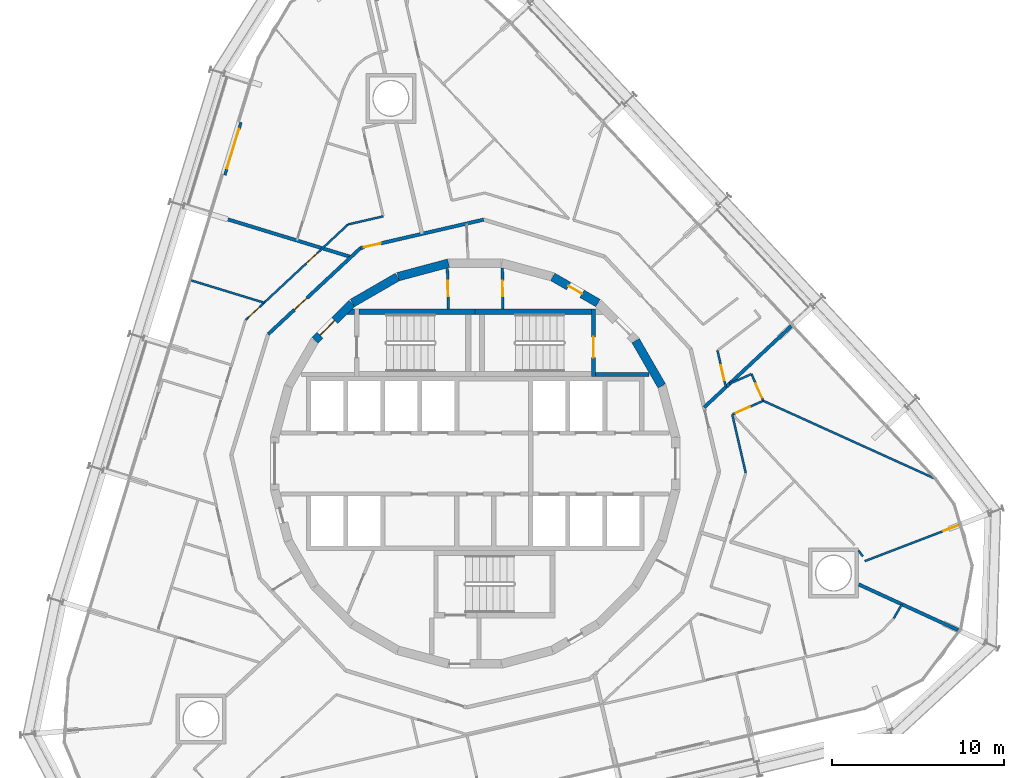
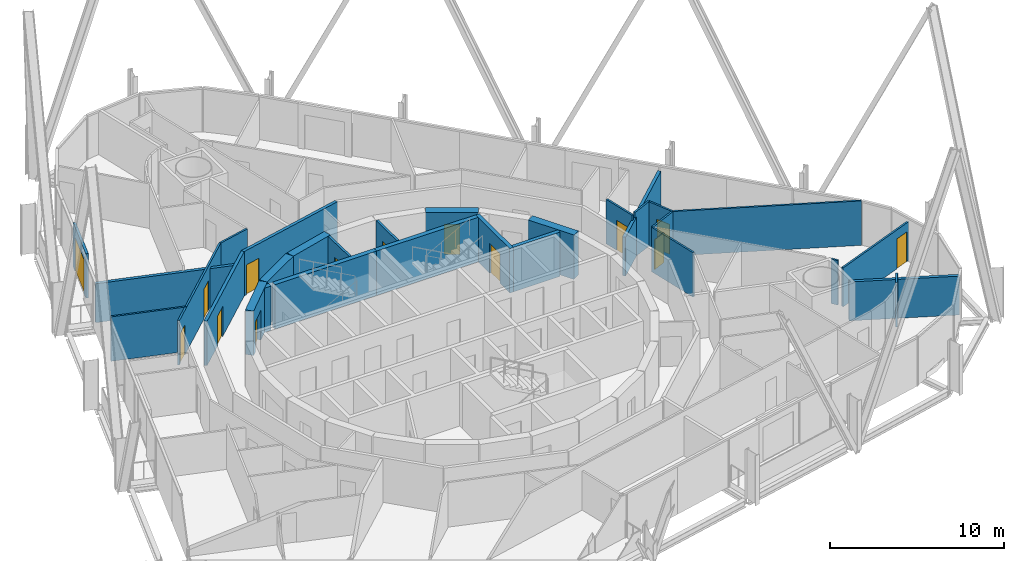
# One storey, part 15 of 18: 30 walls, 14 doors, 14 openings.
"""IFC4 building model written with IfcOpenShell, lengths in metres."""

from ifc_helpers import new_model, si_unit, direction, frame, frame_2d, origin, place, context, subcontext, project, spatial, polyline, rectangle, outline, extrude, material, layer, layer_set, type_object, element, fill, save


model = new_model("IFC4")

# Units and contexts
model_context = context("Model", 3, precision=1e-05, world=origin(), true_north=direction((0.0, 1.0)))
body_context = subcontext(model_context, "Body", "Model", "MODEL_VIEW")
ifc_project = project(units=[si_unit("LENGTHUNIT", "METRE"), si_unit("AREAUNIT", "SQUARE_METRE"), si_unit("VOLUMEUNIT", "CUBIC_METRE"), si_unit("PLANEANGLEUNIT", "RADIAN"), si_unit("MASSUNIT", "GRAM", prefix="KILO")], contexts=[model_context])

# Site, building, storey
site_placement = place(None, origin())
site = spatial("IfcSite", under=ifc_project, at=site_placement, CompositionType="ELEMENT")
building_placement = place(site_placement, origin())
building = spatial("IfcBuilding", under=site, at=building_placement, Name="Spindle Arch Residences", CompositionType="ELEMENT")
storey_placement = place(building_placement, frame((0.0, 0.0, 127.39990234375)))
storey = spatial("IfcBuildingStorey", under=building, at=storey_placement, Name="L31", CompositionType="ELEMENT", Elevation=127.39990234375)

# Wall
ifc_material_1 = material(Name="Concrete C50/60", Category="concrete")
ifc_layer_1 = layer(ifc_material_1, 0.5)
ifc_layer_set_1 = layer_set([ifc_layer_1], Name="Core outline wall 500")
wall_type_1 = type_object("IfcWallType", Name="Core outline wall 500", PredefinedType="SHEAR", material=ifc_layer_set_1)
wall_1_placement = place(storey_placement, frame((10.84521484375, 4.510498046875, 0.0), z_axis=(0.0, 0.0, 1.0), x_axis=(-0.500087131594, 0.865975092491, 0.0)))
element("IfcWall", 1, at=wall_1_placement, inside=storey, type_object=wall_type_1, Name="Core outline wall 8", PredefinedType="SHEAR", context=body_context, shape_type="SweptSolid", body=[
    extrude(rectangle(XDim=3.03271484375, YDim=0.5, at=frame_2d((1.516357421875, 0.0))), origin(), (0.0, 0.0, 1.0), 3.1201171875),
])

# Wall, opening, door
wall_2_placement = place(storey_placement, frame((7.13671875, 9.32861328125, 0.0), z_axis=(0.0, 0.0, 1.0), x_axis=(-0.865975092491, 0.500087131594, 0.0)))
wall_2 = element("IfcWall", 2, at=wall_2_placement, inside=storey, type_object=wall_type_1, Name="Core outline wall 10", PredefinedType="SHEAR", context=body_context, shape_type="SweptSolid", body=[
    extrude(rectangle(XDim=3.03271484375, YDim=0.5, at=frame_2d((1.516357421875, 0.0))), origin(), (0.0, 0.0, 1.0), 3.1201171875),
])
opening_1_placement = place(wall_2_placement, frame((1.06640625, 0.0, 0.0)))
opening_1 = element("IfcOpeningElement", 3, at=opening_1_placement, cuts=wall_2, Name="Opening R3B0-WD11", PredefinedType="OPENING", context=body_context, shape_type="SweptSolid", body=[
    extrude(rectangle(XDim=0.89990234375, YDim=2.10009765625, at=frame_2d((0.449951171875, 1.050048828125))), frame((0.0, 0.260009765625, 0.0), z_axis=(0.0, -1.0, 0.0), x_axis=(1.0, 0.0, 0.0)), (0.0, 0.0, 1.0), 0.52001953125),
])
ifc_material_2 = material(Name="Steel, fire-resisting door", Category="steel")
door_type_1 = type_object("IfcDoorType", Name="Service room door 900x2100", OperationType="SINGLE_SWING_LEFT", PredefinedType="DOOR", material=ifc_material_2)
door_1_placement = place(opening_1_placement, origin())
door_1 = element("IfcDoor", 4, at=door_1_placement, inside=storey, type_object=door_type_1, Name="Service room door R3B0-WD11", OperationType="SINGLE_SWING_RIGHT", OverallHeight=2.10009765625, OverallWidth=0.89990234375, PredefinedType="DOOR", context=body_context, shape_type="SweptSolid", body=[
    extrude(rectangle(XDim=0.89990234375, YDim=2.10009765625, at=frame_2d((0.449951171875, 1.050048828125))), frame((0.0, 0.02490234375, 0.0), z_axis=(0.0, -1.0, 0.0), x_axis=(1.0, 0.0, 0.0)), (0.0, 0.0, 1.0), 0.050048828125),
])
fill(opening_1, door_1)

# Walls
for number, where, z_axis, x_axis, name in (
    (5, (-1.5498046875, 11.642822265625, 0.0), (0.0, 0.0, 1.0), (-0.965948410781, -0.258734743916, 0.0), "Core outline wall 13"),
    (6, (-4.510498046875, 10.84521484375, 0.0), (0.0, 0.0, 1.0), (-0.865975092491, -0.500087131594, 0.0), "Core outline wall 14"),
):
    element("IfcWall", number, at=place(storey_placement, frame(where, z_axis=z_axis, x_axis=x_axis)), inside=storey, type_object=wall_type_1, Name=name, PredefinedType="SHEAR", context=body_context, shape_type="SweptSolid", body=[
        extrude(rectangle(XDim=3.03271484375, YDim=0.5, at=frame_2d((1.516357421875, 0.0))), origin(), (0.0, 0.0, 1.0), 3.1201171875),
    ])

# Wall, opening, door
wall_3_placement = place(storey_placement, frame((-7.163818359375, 9.30810546875, 0.0), z_axis=(0.0, 0.0, 1.0), x_axis=(-0.707106781187, -0.707106781187, 0.0)))
wall_3 = element("IfcWall", 7, at=wall_3_placement, inside=storey, type_object=wall_type_1, Name="Core outline wall 15", PredefinedType="SHEAR", context=body_context, shape_type="SweptSolid", body=[
    extrude(rectangle(XDim=3.032470703125, YDim=0.5, at=frame_2d((1.51611328125, 0.0))), origin(), (0.0, 0.0, 1.0), 3.1201171875),
])
opening_2_placement = place(wall_3_placement, frame((1.416259765625, 0.0, 0.0)))
opening_2 = element("IfcOpeningElement", 8, at=opening_2_placement, cuts=wall_3, Name="Opening R3B0-AD02", PredefinedType="OPENING", context=body_context, shape_type="SweptSolid", body=[
    extrude(rectangle(XDim=1.199951171875, YDim=2.10009765625, at=frame_2d((0.60009765625, 1.050048828125))), frame((0.0, 0.260009765625, 0.0), z_axis=(0.0, -1.0, 0.0), x_axis=(1.0, 0.0, 0.0)), (0.0, 0.0, 1.0), 0.52001953125),
])
ifc_material_3 = material(Name="Steel, fire-resisting door", Category="steel")
door_type_2 = type_object("IfcDoorType", Name="Stair airlock door 1200x2100", OperationType="SINGLE_SWING_LEFT", PredefinedType="DOOR", material=ifc_material_3)
door_2_placement = place(opening_2_placement, origin())
door_2 = element("IfcDoor", 9, at=door_2_placement, inside=storey, type_object=door_type_2, Name="Stair airlock door R3B0-AD02", OperationType="SINGLE_SWING_RIGHT", OverallHeight=2.10009765625, OverallWidth=1.199951171875, PredefinedType="DOOR", context=body_context, shape_type="SweptSolid", body=[
    extrude(rectangle(XDim=1.199951171875, YDim=2.10009765625, at=frame_2d((0.60009765625, 1.050048828125))), frame((0.0, 0.02490234375, 0.0), z_axis=(0.0, -1.0, 0.0), x_axis=(1.0, 0.0, 0.0)), (0.0, 0.0, 1.0), 0.050048828125),
])
fill(opening_2, door_2)

ifc_material_4 = material(Name="Calcium silicate block, plastered")
ifc_layer_2 = layer(ifc_material_4, 0.199951171875)
ifc_layer_set_2 = layer_set([ifc_layer_2], Name="Corridor wall 200")
wall_type_2 = type_object("IfcWallType", Name="Corridor wall 200", PredefinedType="STANDARD", material=ifc_layer_set_2)
wall_4_placement = place(storey_placement, frame((0.4951171875, 14.174560546875, 0.0), z_axis=(0.0, 0.0, 1.0), x_axis=(-0.974376622151, -0.224922649383, 0.0)))
wall_4 = element("IfcWall", 10, at=wall_4_placement, inside=storey, type_object=wall_type_2, Name="Corridor wall R3B0-W007", PredefinedType="STANDARD", context=body_context, shape_type="SweptSolid", body=[
    extrude(rectangle(XDim=7.342041015625, YDim=0.199951171875, at=frame_2d((3.6708984375, 0.0))), origin(), (0.0, 0.0, 1.0), 3.1201171875),
])
opening_3_placement = place(wall_4_placement, frame((6.141845703125, 0.0, 0.0)))
opening_3 = element("IfcOpeningElement", 11, at=opening_3_placement, cuts=wall_4, Name="Opening R3B0-FD02", PredefinedType="OPENING", context=body_context, shape_type="SweptSolid", body=[
    extrude(rectangle(XDim=1.0, YDim=2.10009765625, at=frame_2d((0.5, 1.050048828125))), frame((0.0, 0.10986328125, 0.0), z_axis=(0.0, -1.0, 0.0), x_axis=(1.0, 0.0, 0.0)), (0.0, 0.0, 1.0), 0.219970703125),
])
ifc_material_5 = material(Name="Timber, fire-resisting door set", Category="wood")
door_type_3 = type_object("IfcDoorType", Name="Flat entrance door 1000x2100", OperationType="NOTDEFINED", PredefinedType="DOOR", material=ifc_material_5)
door_3_placement = place(opening_3_placement, origin())
door_3 = element("IfcDoor", 12, at=door_3_placement, inside=storey, type_object=door_type_3, Name="Flat entrance door R3B0-FD02", OperationType="SINGLE_SWING_LEFT", OverallHeight=2.10009765625, OverallWidth=1.0, PredefinedType="DOOR", context=body_context, shape_type="SweptSolid", body=[
    extrude(rectangle(XDim=1.0, YDim=2.10009765625, at=frame_2d((0.5, 1.050048828125))), frame((0.0, 0.02490234375, 0.0), z_axis=(0.0, -1.0, 0.0), x_axis=(1.0, 0.0, 0.0)), (0.0, 0.0, 1.0), 0.050048828125),
])
fill(opening_3, door_3)

wall_5_placement = place(storey_placement, frame((-6.65869140625, 12.523193359375, 0.0), z_axis=(0.0, 0.0, 1.0), x_axis=(-0.731350455479, -0.682001841105, 0.0)))
wall_5 = element("IfcWall", 13, at=wall_5_placement, inside=storey, type_object=wall_type_2, Name="Corridor wall R3B0-W009", PredefinedType="STANDARD", context=body_context, shape_type="SweptSolid", body=[
    extrude(rectangle(XDim=7.341796875, YDim=0.199951171875, at=frame_2d((3.6708984375, 0.0))), origin(), (0.0, 0.0, 1.0), 3.1201171875),
])
opening_4_placement = place(wall_5_placement, frame((4.26416015625, 0.0, 0.0)))
opening_4 = element("IfcOpeningElement", 14, at=opening_4_placement, cuts=wall_5, Name="Opening R3B0-FD03", PredefinedType="OPENING", context=body_context, shape_type="SweptSolid", body=[
    extrude(rectangle(XDim=1.0, YDim=2.10009765625, at=frame_2d((0.5, 1.050048828125))), frame((0.0, 0.10986328125, 0.0), z_axis=(0.0, -1.0, 0.0), x_axis=(1.0, 0.0, 0.0)), (0.0, 0.0, 1.0), 0.219970703125),
])
door_4_placement = place(opening_4_placement, origin())
door_4 = element("IfcDoor", 15, at=door_4_placement, inside=storey, type_object=door_type_3, Name="Flat entrance door R3B0-FD03", OperationType="SINGLE_SWING_LEFT", OverallHeight=2.10009765625, OverallWidth=1.0, PredefinedType="DOOR", context=body_context, shape_type="SweptSolid", body=[
    extrude(rectangle(XDim=1.0, YDim=2.10009765625, at=frame_2d((0.5, 1.050048828125))), frame((0.0, 0.02490234375, 0.0), z_axis=(0.0, -1.0, 0.0), x_axis=(1.0, 0.0, 0.0)), (0.0, 0.0, 1.0), 0.050048828125),
])
fill(opening_4, door_4)

ifc_material_6 = material(Name="Plasterboard on steel studs", Category="steel")
ifc_layer_3 = layer(ifc_material_6, 0.1201171875)
ifc_layer_set_3 = layer_set([ifc_layer_3], Name="Flat partition 120")
wall_type_3 = type_object("IfcWallType", Name="Flat partition 120", PredefinedType="PARTITIONING", material=ifc_layer_set_3)
wall_6_placement = place(storey_placement, frame((14.5732421875, 4.447021484375, 0.0), z_axis=(0.0, 0.0, 1.0), x_axis=(-0.225006886074, 0.97435717333, 0.0)))
wall_6 = element("IfcWall", 16, at=wall_6_placement, inside=storey, type_object=wall_type_3, Name="Flat partition R3B0-W027", PredefinedType="PARTITIONING", context=body_context, shape_type="SweptSolid", body=[
    extrude(rectangle(XDim=2.177734375, YDim=0.1201171875, at=frame_2d((1.0888671875, 0.0))), origin(), (0.0, 0.0, 1.0), 3.1201171875),
])
opening_5_placement = place(wall_6_placement, frame((0.39990234375, 0.0, 0.0)))
opening_5 = element("IfcOpeningElement", 17, at=opening_5_placement, cuts=wall_6, Name="Opening R3B0-ID01", PredefinedType="OPENING", context=body_context, shape_type="SweptSolid", body=[
    extrude(rectangle(XDim=0.89990234375, YDim=2.10009765625, at=frame_2d((0.449951171875, 1.050048828125))), frame((0.0, 0.070068359375, 0.0), z_axis=(0.0, -1.0, 0.0), x_axis=(1.0, 0.0, 0.0)), (0.0, 0.0, 1.0), 0.14013671875),
])
ifc_material_7 = material(Name="Timber door set", Category="wood")
door_type_4 = type_object("IfcDoorType", Name="Room door 900x2100", OperationType="NOTDEFINED", PredefinedType="DOOR", material=ifc_material_7)
door_5_placement = place(opening_5_placement, origin())
door_5 = element("IfcDoor", 18, at=door_5_placement, inside=storey, type_object=door_type_4, Name="Room door R3B0-ID01", OperationType="SINGLE_SWING_LEFT", OverallHeight=2.10009765625, OverallWidth=0.89990234375, PredefinedType="DOOR", context=body_context, shape_type="SweptSolid", body=[
    extrude(rectangle(XDim=0.89990234375, YDim=2.10009765625, at=frame_2d((0.449951171875, 1.050048828125))), frame((0.0, 0.02490234375, 0.0), z_axis=(0.0, -1.0, 0.0), x_axis=(1.0, 0.0, 0.0)), (0.0, 0.0, 1.0), 0.050048828125),
])
fill(opening_5, door_5)

# Wall
wall_7_placement = place(storey_placement, frame((-5.341552734375, 14.36669921875, 0.0), z_axis=(0.0, 0.0, 1.0), x_axis=(-0.974367677287, -0.224961395484, 0.0)))
element("IfcWall", 19, at=wall_7_placement, inside=storey, type_object=wall_type_3, Name="Flat partition R3B0-W049", PredefinedType="PARTITIONING", context=body_context, shape_type="SweptSolid", body=[
    extrude(rectangle(XDim=2.099853515625, YDim=0.1201171875, at=frame_2d((1.0498046875, 0.0))), origin(), (0.0, 0.0, 1.0), 3.1201171875),
])

# Wall, openings, doors
wall_8_placement = place(storey_placement, frame((-7.3876953125, 13.894287109375, 0.0), z_axis=(0.0, 0.0, 1.0), x_axis=(-0.731357186721, -0.681994622729, 0.0)))
wall_8 = element("IfcWall", 20, at=wall_8_placement, inside=storey, type_object=wall_type_3, Name="Flat partition R3B0-W050", PredefinedType="PARTITIONING", context=body_context, shape_type="SweptSolid", body=[
    extrude(rectangle(XDim=8.145751953125, YDim=0.1201171875, at=frame_2d((4.07275390625, 0.0))), origin(), (0.0, 0.0, 1.0), 3.1201171875),
])
opening_6_placement = place(wall_8_placement, frame((2.431884765625, 0.0, 0.0)))
opening_6 = element("IfcOpeningElement", 21, at=opening_6_placement, cuts=wall_8, Name="Opening R3B0-ID11", PredefinedType="OPENING", context=body_context, shape_type="SweptSolid", body=[
    extrude(rectangle(XDim=0.89990234375, YDim=2.10009765625, at=frame_2d((0.449951171875, 1.050048828125))), frame((0.0, 0.070068359375, 0.0), z_axis=(0.0, -1.0, 0.0), x_axis=(1.0, 0.0, 0.0)), (0.0, 0.0, 1.0), 0.14013671875),
])
opening_7_placement = place(wall_8_placement, frame((7.045654296875, 0.0, 0.0)))
opening_7 = element("IfcOpeningElement", 22, at=opening_7_placement, cuts=wall_8, Name="Opening R3B0-ID12", PredefinedType="OPENING", context=body_context, shape_type="SweptSolid", body=[
    extrude(rectangle(XDim=0.89990234375, YDim=2.10009765625, at=frame_2d((0.449951171875, 1.050048828125))), frame((0.0, 0.070068359375, 0.0), z_axis=(0.0, -1.0, 0.0), x_axis=(1.0, 0.0, 0.0)), (0.0, 0.0, 1.0), 0.14013671875),
])
door_6_placement = place(opening_6_placement, origin())
door_6 = element("IfcDoor", 23, at=door_6_placement, inside=storey, type_object=door_type_4, Name="Room door R3B0-ID11", OperationType="SINGLE_SWING_LEFT", OverallHeight=2.10009765625, OverallWidth=0.89990234375, PredefinedType="DOOR", context=body_context, shape_type="SweptSolid", body=[
    extrude(rectangle(XDim=0.89990234375, YDim=2.10009765625, at=frame_2d((0.449951171875, 1.050048828125))), frame((0.0, 0.02490234375, 0.0), z_axis=(0.0, -1.0, 0.0), x_axis=(1.0, 0.0, 0.0)), (0.0, 0.0, 1.0), 0.050048828125),
])
fill(opening_6, door_6)
door_7_placement = place(opening_7_placement, origin())
door_7 = element("IfcDoor", 24, at=door_7_placement, inside=storey, type_object=door_type_4, Name="Room door R3B0-ID12", OperationType="SINGLE_SWING_LEFT", OverallHeight=2.10009765625, OverallWidth=0.89990234375, PredefinedType="DOOR", context=body_context, shape_type="SweptSolid", body=[
    extrude(rectangle(XDim=0.89990234375, YDim=2.10009765625, at=frame_2d((0.449951171875, 1.050048828125))), frame((0.0, 0.02490234375, 0.0), z_axis=(0.0, -1.0, 0.0), x_axis=(1.0, 0.0, 0.0)), (0.0, 0.0, 1.0), 0.050048828125),
])
fill(opening_7, door_7)

# Walls
wall_9_placement = place(storey_placement, frame((-16.50048828125, 10.64208984375, 0.0), z_axis=(0.0, 0.0, 1.0), x_axis=(0.9563053536, -0.292369749934, 0.0)))
element("IfcWall", 25, at=wall_9_placement, inside=storey, type_object=wall_type_3, Name="Flat partition R3B0-W062", PredefinedType="PARTITIONING", context=body_context, shape_type="SweptSolid", body=[
    extrude(rectangle(XDim=4.429931640625, YDim=0.1201171875, at=frame_2d((2.21484375, 0.0))), origin(), (0.0, 0.0, 1.0), 3.1201171875),
])
wall_10_placement = place(storey_placement, frame((24.8017578125, -8.18603515625, 0.0), z_axis=(0.0, 0.0, 1.0), x_axis=(-0.505043103481, -0.863094122113, 0.0)))
element("IfcWall", 26, at=wall_10_placement, inside=storey, type_object=wall_type_3, Name="Flat partition R3B0-W094", PredefinedType="PARTITIONING", context=body_context, shape_type="SweptSolid", body=[
    extrude(rectangle(XDim=0.945068359375, YDim=0.1201171875, at=frame_2d((0.47265625, 0.0))), origin(), (0.0, 0.0, 1.0), 3.1201171875),
])

# Wall, opening, door
wall_11_placement = place(storey_placement, frame((16.74658203125, 3.64501953125, 0.0), z_axis=(0.0, 0.0, 1.0), x_axis=(-0.40401852801, 0.914750801598, 0.0)))
wall_11 = element("IfcWall", 27, at=wall_11_placement, inside=storey, type_object=wall_type_3, Name="Flat partition R3B0-W099", PredefinedType="PARTITIONING", context=body_context, shape_type="SweptSolid", body=[
    extrude(rectangle(XDim=1.699951171875, YDim=0.1201171875, at=frame_2d((0.85009765625, 0.0))), origin(), (0.0, 0.0, 1.0), 3.1201171875),
])
opening_8_placement = place(wall_11_placement, frame((0.199951171875, 0.0, 0.0)))
opening_8 = element("IfcOpeningElement", 28, at=opening_8_placement, cuts=wall_11, Name="Opening R3B0-ID29", PredefinedType="OPENING", context=body_context, shape_type="SweptSolid", body=[
    extrude(rectangle(XDim=0.89990234375, YDim=2.10009765625, at=frame_2d((0.449951171875, 1.050048828125))), frame((0.0, 0.070068359375, 0.0), z_axis=(0.0, -1.0, 0.0), x_axis=(1.0, 0.0, 0.0)), (0.0, 0.0, 1.0), 0.14013671875),
])
door_8_placement = place(opening_8_placement, origin())
door_8 = element("IfcDoor", 29, at=door_8_placement, inside=storey, type_object=door_type_4, Name="Room door R3B0-ID29", OperationType="SINGLE_SWING_LEFT", OverallHeight=2.10009765625, OverallWidth=0.89990234375, PredefinedType="DOOR", context=body_context, shape_type="SweptSolid", body=[
    extrude(rectangle(XDim=0.89990234375, YDim=2.10009765625, at=frame_2d((0.449951171875, 1.050048828125))), frame((0.0, 0.02490234375, 0.0), z_axis=(0.0, -1.0, 0.0), x_axis=(1.0, 0.0, 0.0)), (0.0, 0.0, 1.0), 0.050048828125),
])
fill(opening_8, door_8)

# Walls
wall_12_placement = place(storey_placement, frame((16.059814453125, 5.199951171875, 0.0), z_axis=(0.0, 0.0, 1.0), x_axis=(-0.91479626238, -0.403915583179, 0.0)))
element("IfcWall", 30, at=wall_12_placement, inside=storey, type_object=wall_type_3, Name="Flat partition R3B0-W100", PredefinedType="PARTITIONING", context=body_context, shape_type="SweptSolid", body=[
    extrude(rectangle(XDim=1.396728515625, YDim=0.1201171875, at=frame_2d((0.6982421875, 0.0))), origin(), (0.0, 0.0, 1.0), 3.1201171875),
])
wall_13_placement = place(storey_placement, frame((15.7265625, -0.54931640625, 0.0), z_axis=(0.0, 0.0, 1.0), x_axis=(-0.224900416367, 0.974381754097, 0.0)))
element("IfcWall", 31, at=wall_13_placement, inside=storey, type_object=wall_type_3, Name="Flat partition R3B0-W101", PredefinedType="PARTITIONING", context=body_context, shape_type="SweptSolid", body=[
    extrude(rectangle(XDim=3.48681640625, YDim=0.1201171875, at=frame_2d((1.743408203125, 0.0))), origin(), (0.0, 0.0, 1.0), 3.1201171875),
])

# Wall, opening, door
wall_14_placement = place(storey_placement, frame((14.9619140625, 2.856689453125, 0.0), z_axis=(0.0, 0.0, 1.0), x_axis=(0.914732858216, 0.404059151734, 0.0)))
wall_14 = element("IfcWall", 32, at=wall_14_placement, inside=storey, type_object=wall_type_3, Name="Flat partition R3B0-W102", PredefinedType="PARTITIONING", context=body_context, shape_type="SweptSolid", body=[
    extrude(rectangle(XDim=1.950927734375, YDim=0.1201171875, at=frame_2d((0.9755859375, 0.0))), origin(), (0.0, 0.0, 1.0), 3.1201171875),
])
opening_9_placement = place(wall_14_placement, frame((0.199951171875, 0.0, 0.0)))
opening_9 = element("IfcOpeningElement", 33, at=opening_9_placement, cuts=wall_14, Name="Opening R3B0-ID30", PredefinedType="OPENING", context=body_context, shape_type="SweptSolid", body=[
    extrude(rectangle(XDim=0.89990234375, YDim=2.10009765625, at=frame_2d((0.449951171875, 1.050048828125))), frame((0.0, 0.070068359375, 0.0), z_axis=(0.0, -1.0, 0.0), x_axis=(1.0, 0.0, 0.0)), (0.0, 0.0, 1.0), 0.14013671875),
])
door_9_placement = place(opening_9_placement, origin())
door_9 = element("IfcDoor", 34, at=door_9_placement, inside=storey, type_object=door_type_4, Name="Room door R3B0-ID30", OperationType="SINGLE_SWING_RIGHT", OverallHeight=2.10009765625, OverallWidth=0.89990234375, PredefinedType="DOOR", context=body_context, shape_type="SweptSolid", body=[
    extrude(rectangle(XDim=0.89990234375, YDim=2.10009765625, at=frame_2d((0.449951171875, 1.050048828125))), frame((0.0, 0.02490234375, 0.0), z_axis=(0.0, -1.0, 0.0), x_axis=(1.0, 0.0, 0.0)), (0.0, 0.0, 1.0), 0.050048828125),
])
fill(opening_9, door_9)

# Walls
wall_15_placement = place(storey_placement, frame((16.74658203125, 3.64501953125, 0.0), z_axis=(0.0, 0.0, 1.0), x_axis=(0.910796273175, -0.412856087238, 0.0)))
element("IfcWall", 35, at=wall_15_placement, inside=storey, type_object=wall_type_3, Name="Flat partition R3B0-W103", PredefinedType="PARTITIONING", context=body_context, shape_type="SweptSolid", body=[
    extrude(rectangle(XDim=10.90087890625, YDim=0.1201171875, at=frame_2d((5.450439453125, 0.0))), origin(), (0.0, 0.0, 1.0), 3.1201171875),
])
wall_16_placement = place(storey_placement, frame((22.532470703125, -5.398681640625, 0.0), z_axis=(0.0, 0.0, 1.0), x_axis=(-0.592456078431, 0.805602752683, 0.0)))
element("IfcWall", 36, at=wall_16_placement, inside=storey, type_object=wall_type_3, Name="Flat partition R3B0-W105", PredefinedType="PARTITIONING", context=body_context, shape_type="SweptSolid", body=[
    extrude(rectangle(XDim=0.426025390625, YDim=0.1201171875, at=frame_2d((0.212890625, 0.0))), origin(), (0.0, 0.0, 1.0), 3.1201171875),
])

# Wall, opening, door
ifc_material_8 = material(Name="Plasterboard on steel studs", Category="steel")
ifc_layer_4 = layer(ifc_material_8, 0.1201171875)
ifc_layer_set_4 = layer_set([ifc_layer_4], Name="Flat partition 120 under beam 2730")
wall_type_4 = type_object("IfcWallType", Name="Flat partition 120 under beam 2730", PredefinedType="PARTITIONING", material=ifc_layer_set_4)
wall_17_placement = place(storey_placement, frame((28.2548828125, -3.524658203125, 0.0), z_axis=(0.0, 0.0, 1.0), x_axis=(-0.933839412031, -0.357692539114, 0.0)))
wall_17 = element("IfcWall", 37, at=wall_17_placement, inside=storey, type_object=wall_type_4, Name="Flat partition R3B0-W104", PredefinedType="PARTITIONING", context=body_context, shape_type="SweptSolid", body=[
    extrude(rectangle(XDim=6.003662109375, YDim=0.1201171875, at=frame_2d((3.001953125, 0.0))), origin(), (0.0, 0.0, 1.0), 2.72998046875),
])
opening_10_placement = place(wall_17_placement, frame((0.199951171875, 0.0, 0.0)))
opening_10 = element("IfcOpeningElement", 38, at=opening_10_placement, cuts=wall_17, Name="Opening R3B0-ID31", PredefinedType="OPENING", context=body_context, shape_type="SweptSolid", body=[
    extrude(rectangle(XDim=0.89990234375, YDim=2.10009765625, at=frame_2d((0.449951171875, 1.050048828125))), frame((0.0, 0.070068359375, 0.0), z_axis=(0.0, -1.0, 0.0), x_axis=(1.0, 0.0, 0.0)), (0.0, 0.0, 1.0), 0.14013671875),
])
door_10_placement = place(opening_10_placement, origin())
door_10 = element("IfcDoor", 39, at=door_10_placement, inside=storey, type_object=door_type_4, Name="Room door R3B0-ID31", OperationType="SINGLE_SWING_LEFT", OverallHeight=2.10009765625, OverallWidth=0.89990234375, PredefinedType="DOOR", context=body_context, shape_type="SweptSolid", body=[
    extrude(rectangle(XDim=0.89990234375, YDim=2.10009765625, at=frame_2d((0.449951171875, 1.050048828125))), frame((0.0, 0.02490234375, 0.0), z_axis=(0.0, -1.0, 0.0), x_axis=(1.0, 0.0, 0.0)), (0.0, 0.0, 1.0), 0.050048828125),
])
fill(opening_10, door_10)

# Walls
ifc_material_9 = material(Name="Calcium silicate block, plastered")
ifc_layer_5 = layer(ifc_material_9, 0.199951171875)
ifc_layer_set_5 = layer_set([ifc_layer_5], Name="Flat party wall 200 under beam 2730")
wall_type_5 = type_object("IfcWallType", Name="Flat party wall 200 under beam 2730", PredefinedType="STANDARD", material=ifc_layer_set_5)
wall_18_placement = place(storey_placement, frame((13.3076171875, 3.2607421875, 0.0), z_axis=(0.0, 0.0, 1.0), x_axis=(0.731356087831, 0.681995801154, 0.0)))
element("IfcWall", 40, at=wall_18_placement, inside=storey, type_object=wall_type_5, Name="Flat party wall R3B0-W018", PredefinedType="STANDARD", context=body_context, shape_type="SweptSolid", body=[
    extrude(rectangle(XDim=6.934326171875, YDim=0.199951171875, at=frame_2d((3.46728515625, 0.0))), origin(), (0.0, 0.0, 1.0), 2.72998046875),
])
wall_19_placement = place(storey_placement, frame((-15.32666015625, 14.481201171875, 0.0), z_axis=(0.0, 0.0, 1.0), x_axis=(0.956303504869, -0.292375796837, 0.0)))
element("IfcWall", 41, at=wall_19_placement, inside=storey, type_object=wall_type_5, Name="Flat party wall R3B0-W019", PredefinedType="STANDARD", context=body_context, shape_type="SweptSolid", body=[
    extrude(rectangle(XDim=8.479736328125, YDim=0.199951171875, at=frame_2d((4.23974609375, 0.0))), origin(), (0.0, 0.0, 1.0), 2.72998046875),
])
wall_20_placement = place(storey_placement, frame((28.091796875, -9.691650390625, 0.0), z_axis=(0.0, 0.0, 1.0), x_axis=(-0.908656456134, 0.417544542206, 0.0)))
element("IfcWall", 42, at=wall_20_placement, inside=storey, type_object=wall_type_5, Name="Flat party wall R3B0-W026", PredefinedType="STANDARD", context=body_context, shape_type="SweptSolid", body=[
    extrude(rectangle(XDim=6.385009765625, YDim=0.199951171875, at=frame_2d((3.1923828125, 0.0))), origin(), (0.0, 0.0, 1.0), 2.72998046875),
])

# Wall, opening, door
ifc_material_10 = material(Name="Non-combustible mineral wool insulated aluminium faced external wall (K0)", Category="aluminium")
ifc_layer_6 = layer(ifc_material_10, 0.159912109375)
ifc_layer_set_6 = layer_set([ifc_layer_6], Name="Insulated external wall panel 160")
wall_type_6 = type_object("IfcWallType", Name="Insulated external wall panel 160", PredefinedType="STANDARD", material=ifc_layer_set_6)
wall_21_placement = place(storey_placement, frame((-13.608642578125, 19.8271484375, 0.0), z_axis=(0.0, 0.0, 1.0), x_axis=(-0.292348395078, -0.956311882126, 0.0)))
wall_21 = element("IfcWall", 43, at=wall_21_placement, inside=storey, type_object=wall_type_6, Name="External wall L31 bay 13", PredefinedType="STANDARD", context=body_context, shape_type="SweptSolid", body=[
    extrude(rectangle(XDim=3.2001953125, YDim=0.159912109375, at=frame_2d((1.60009765625, 0.0))), origin(), (0.0, 0.0, 1.0), 3.1201171875),
])
opening_11_placement = place(wall_21_placement, frame((0.39990234375, 0.0, 0.0)))
opening_11 = element("IfcOpeningElement", 44, at=opening_11_placement, cuts=wall_21, Name="Opening BD13", PredefinedType="OPENING", context=body_context, shape_type="SweptSolid", body=[
    extrude(rectangle(XDim=2.39990234375, YDim=2.39990234375, at=frame_2d((1.199951171875, 1.199951171875))), frame((0.0, 0.08984375, 0.0), z_axis=(0.0, -1.0, 0.0), x_axis=(1.0, 0.0, 0.0)), (0.0, 0.0, 1.0), 0.179931640625),
])
ifc_material_11 = material(Name="Bronze aluminium frame, tinted double glazing", Category="aluminium")
door_type_5 = type_object("IfcDoorType", Name="Sliding glazed balcony door 2400x2400", OperationType="DOUBLE_DOOR_SLIDING", PredefinedType="DOOR", material=ifc_material_11)
door_11_placement = place(opening_11_placement, origin())
door_11 = element("IfcDoor", 45, at=door_11_placement, inside=storey, type_object=door_type_5, Name="Balcony door BD13", OperationType="DOUBLE_DOOR_SLIDING", OverallHeight=2.39990234375, OverallWidth=2.39990234375, PredefinedType="DOOR", context=body_context, shape_type="SweptSolid", body=[
    extrude(rectangle(XDim=2.39990234375, YDim=2.39990234375, at=frame_2d((1.199951171875, 1.199951171875))), frame((0.0, 0.02490234375, 0.0), z_axis=(0.0, -1.0, 0.0), x_axis=(1.0, 0.0, 0.0)), (0.0, 0.0, 1.0), 0.050048828125),
])
fill(opening_11, door_11)

ifc_material_12 = material(Name="Concrete C25/30", Category="concrete")
ifc_layer_7 = layer(ifc_material_12, 0.14990234375)
ifc_layer_set_7 = layer_set([ifc_layer_7], Name="Service room partition 150")
wall_type_7 = type_object("IfcWallType", Name="Service room partition 150", PredefinedType="PARTITIONING", material=ifc_layer_set_7)
wall_22_placement = place(storey_placement, frame((1.585693359375, 11.3544921875, 0.0), z_axis=(0.0, 0.0, 1.0), x_axis=(0.007227482881, -0.999973881405, 0.0)))
wall_22 = element("IfcWall", 46, at=wall_22_placement, inside=storey, type_object=wall_type_7, Name="Core service room partition", PredefinedType="PARTITIONING", context=body_context, shape_type="SweptSolid", body=[
    extrude(rectangle(XDim=2.364501953125, YDim=0.14990234375, at=frame_2d((1.18212890625, 0.0))), origin(), (0.0, 0.0, 1.0), 3.1201171875),
])
opening_12_placement = place(wall_22_placement, frame((0.732177734375, 0.0, 0.0)))
opening_12 = element("IfcOpeningElement", 47, at=opening_12_placement, cuts=wall_22, Name="Opening R3B0-WD07", PredefinedType="OPENING", context=body_context, shape_type="SweptSolid", body=[
    extrude(rectangle(XDim=0.89990234375, YDim=2.10009765625, at=frame_2d((0.449951171875, 1.050048828125))), frame((0.0, 0.0849609375, 0.0), z_axis=(0.0, -1.0, 0.0), x_axis=(1.0, 0.0, 0.0)), (0.0, 0.0, 1.0), 0.169921875),
])
door_12_placement = place(opening_12_placement, origin())
door_12 = element("IfcDoor", 48, at=door_12_placement, inside=storey, type_object=door_type_1, Name="Service room door R3B0-WD07", OperationType="SINGLE_SWING_RIGHT", OverallHeight=2.10009765625, OverallWidth=0.89990234375, PredefinedType="DOOR", context=body_context, shape_type="SweptSolid", body=[
    extrude(rectangle(XDim=0.89990234375, YDim=2.10009765625, at=frame_2d((0.449951171875, 1.050048828125))), frame((0.0, 0.02490234375, 0.0), z_axis=(0.0, -1.0, 0.0), x_axis=(1.0, 0.0, 0.0)), (0.0, 0.0, 1.0), 0.050048828125),
])
fill(opening_12, door_12)

wall_23_placement = place(storey_placement, frame((-1.555419921875, 8.989990234375, 0.0), z_axis=(0.0, 0.0, 1.0), x_axis=(-0.024125549686, 0.999708936567, 0.0)))
wall_23 = element("IfcWall", 49, at=wall_23_placement, inside=storey, type_object=wall_type_7, Name="Core service room partition", PredefinedType="PARTITIONING", context=body_context, shape_type="SweptSolid", body=[
    extrude(rectangle(XDim=2.35791015625, YDim=0.14990234375, at=frame_2d((1.178955078125, 0.0))), origin(), (0.0, 0.0, 1.0), 3.1201171875),
])
opening_13_placement = place(wall_23_placement, frame((0.72900390625, 0.0, 0.0)))
opening_13 = element("IfcOpeningElement", 50, at=opening_13_placement, cuts=wall_23, Name="Opening R3B0-WD08", PredefinedType="OPENING", context=body_context, shape_type="SweptSolid", body=[
    extrude(rectangle(XDim=0.89990234375, YDim=2.10009765625, at=frame_2d((0.449951171875, 1.050048828125))), frame((0.0, 0.0849609375, 0.0), z_axis=(0.0, -1.0, 0.0), x_axis=(1.0, 0.0, 0.0)), (0.0, 0.0, 1.0), 0.169921875),
])
door_13_placement = place(opening_13_placement, origin())
door_13 = element("IfcDoor", 51, at=door_13_placement, inside=storey, type_object=door_type_1, Name="Service room door R3B0-WD08", OperationType="SINGLE_SWING_LEFT", OverallHeight=2.10009765625, OverallWidth=0.89990234375, PredefinedType="DOOR", context=body_context, shape_type="SweptSolid", body=[
    extrude(rectangle(XDim=0.89990234375, YDim=2.10009765625, at=frame_2d((0.449951171875, 1.050048828125))), frame((0.0, 0.02490234375, 0.0), z_axis=(0.0, -1.0, 0.0), x_axis=(1.0, 0.0, 0.0)), (0.0, 0.0, 1.0), 0.050048828125),
])
fill(opening_13, door_13)

# Walls
ifc_material_13 = material(Name="Concrete C40/50", Category="concrete")
ifc_layer_8 = layer(ifc_material_13, 0.25)
ifc_layer_set_8 = layer_set([ifc_layer_8], Name="Stair airlock wall 250")
wall_type_8 = type_object("IfcWallType", Name="Stair airlock wall 250", PredefinedType="SHEAR", material=ifc_layer_set_8)
wall_24_placement = place(storey_placement, frame((7.0, 5.175048828125, 0.0), z_axis=(0.0, 0.0, 1.0), x_axis=(1.0, 0.0, 0.0)))
element("IfcWall", 52, at=wall_24_placement, inside=storey, type_object=wall_type_8, Name="Stair ST-1 airlock wall S", PredefinedType="SHEAR", context=body_context, shape_type="SweptSolid", body=[
    extrude(rectangle(XDim=3.10009765625, YDim=0.25, at=frame_2d((1.550048828125, 0.0))), origin(), (0.0, 0.0, 1.0), 3.1201171875),
])
ifc_material_14 = material(Name="Concrete C40/50", Category="concrete")
wall_type_9 = type_object("IfcWallType", Name="Stair airlock wall profile", PredefinedType="SHEAR", material=ifc_material_14)
wall_25_placement = place(storey_placement, origin())
element("IfcWall", 53, at=wall_25_placement, inside=storey, type_object=wall_type_9, Name="Stair ST-2 airlock wall N", PredefinedType="SHEAR", context=body_context, shape_type="SweptSolid", body=[
    extrude(outline(polyline([(-7.148193359375, 8.969970703125), (-7.0, 8.969970703125), (-7.0, 8.669921875), (-7.4482421875, 8.669921875), (-7.148193359375, 8.969970703125)])), origin(), (0.0, 0.0, 1.0), 3.1201171875),
])

# Wall, opening, door
ifc_material_15 = material(Name="Concrete C50/60", Category="concrete")
ifc_layer_9 = layer(ifc_material_15, 0.25)
ifc_layer_set_9 = layer_set([ifc_layer_9], Name="Stair enclosure wall 250")
wall_type_10 = type_object("IfcWallType", Name="Stair enclosure wall 250", PredefinedType="SHEAR", material=ifc_layer_set_9)
wall_26_placement = place(storey_placement, frame((6.875, 5.050048828125, 0.0), z_axis=(0.0, 0.0, 1.0), x_axis=(0.0, 1.0, 0.0)))
wall_26 = element("IfcWall", 54, at=wall_26_placement, inside=storey, type_object=wall_type_10, Name="Stair ST-1 door wall", PredefinedType="SHEAR", context=body_context, shape_type="SweptSolid", body=[
    extrude(rectangle(XDim=3.919921875, YDim=0.25, at=frame_2d((1.9599609375, 0.0))), origin(), (0.0, 0.0, 1.0), 3.1201171875),
])
opening_14_placement = place(wall_26_placement, frame((1.110107421875, 0.0, 0.0)))
opening_14 = element("IfcOpeningElement", 55, at=opening_14_placement, cuts=wall_26, Name="Opening R3B0-SD01", PredefinedType="OPENING", context=body_context, shape_type="SweptSolid", body=[
    extrude(rectangle(XDim=1.199951171875, YDim=2.10009765625, at=frame_2d((0.60009765625, 1.050048828125))), frame((0.0, 0.135009765625, 0.0), z_axis=(0.0, -1.0, 0.0), x_axis=(1.0, 0.0, 0.0)), (0.0, 0.0, 1.0), 0.27001953125),
])
ifc_material_16 = material(Name="Steel, fire-resisting door", Category="steel")
door_type_6 = type_object("IfcDoorType", Name="Stair door 1200x2100", OperationType="SINGLE_SWING_RIGHT", PredefinedType="DOOR", material=ifc_material_16)
door_14_placement = place(opening_14_placement, origin())
door_14 = element("IfcDoor", 56, at=door_14_placement, inside=storey, type_object=door_type_6, Name="Stair door R3B0-SD01", OperationType="SINGLE_SWING_LEFT", OverallHeight=2.10009765625, OverallWidth=1.199951171875, PredefinedType="DOOR", context=body_context, shape_type="SweptSolid", body=[
    extrude(rectangle(XDim=1.199951171875, YDim=2.10009765625, at=frame_2d((0.60009765625, 1.050048828125))), frame((0.0, 0.02490234375, 0.0), z_axis=(0.0, -1.0, 0.0), x_axis=(1.0, 0.0, 0.0)), (0.0, 0.0, 1.0), 0.050048828125),
])
fill(opening_14, door_14)

# Walls
ifc_material_17 = material(Name="Concrete C50/60", Category="concrete")
ifc_layer_10 = layer(ifc_material_17, 0.300048828125)
ifc_layer_set_10 = layer_set([ifc_layer_10], Name="Stair enclosure wall 300")
wall_type_11 = type_object("IfcWallType", Name="Stair enclosure wall 300", PredefinedType="SHEAR", material=ifc_layer_set_10)
for number, where, z_axis, x_axis, name in (
    (57, (0.0, 8.820068359375, 0.0), (0.0, 0.0, 1.0), (1.0, 0.0, 0.0), "Stair ST-1 enclosure wall N"),
    (58, (-6.75, 8.820068359375, 0.0), (0.0, 0.0, 1.0), (1.0, 0.0, 0.0), "Stair ST-2 enclosure wall N"),
):
    element("IfcWall", number, at=place(storey_placement, frame(where, z_axis=z_axis, x_axis=x_axis)), inside=storey, type_object=wall_type_11, Name=name, PredefinedType="SHEAR", context=body_context, shape_type="SweptSolid", body=[
        extrude(rectangle(XDim=6.75, YDim=0.300048828125, at=frame_2d((3.375, 0.0))), origin(), (0.0, 0.0, 1.0), 3.1201171875),
    ])

save(model, "model.ifc")
